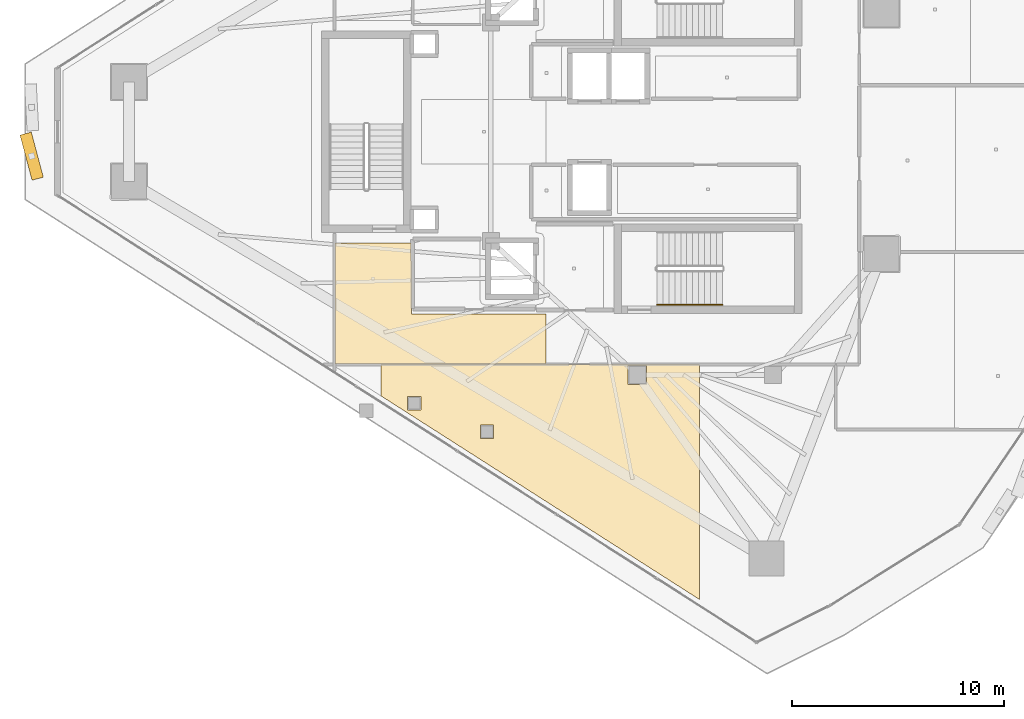
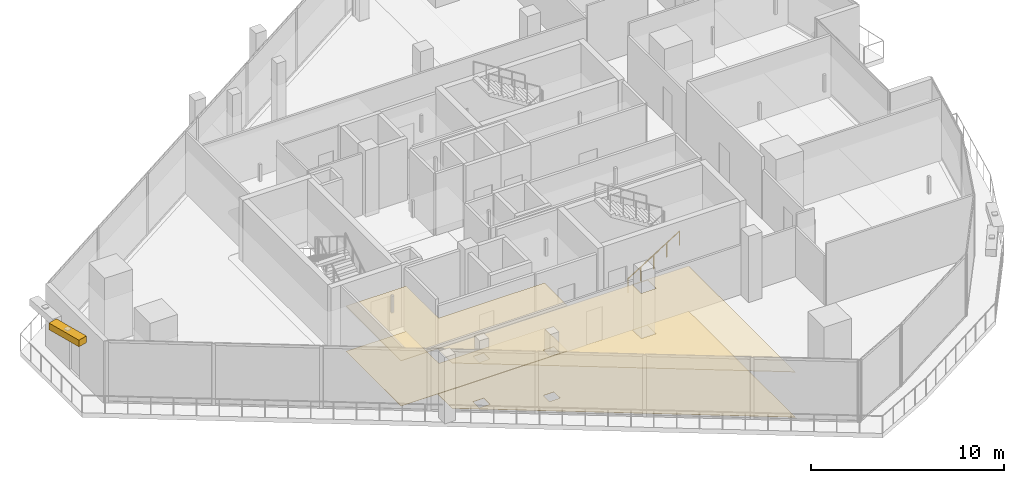
# One storey, part 29 of 34: 4 coverings, 1 railing, 1 shading device.
"""IFC4 building model written with IfcOpenShell, lengths in metres."""

from ifc_helpers import new_model, si_unit, direction, frame, origin, origin_2d, place, context, subcontext, project, spatial, polyline, rectangle, circle, outline, extrude, material, layer, layer_set, type_object, element, save


model = new_model("IFC4")

# Units and contexts
model_context = context("Model", 3, precision=1e-05, world=origin(), true_north=direction((0.0, 1.0)))
body_context = subcontext(model_context, "Body", "Model", "MODEL_VIEW")
ifc_project = project(units=[si_unit("LENGTHUNIT", "METRE"), si_unit("AREAUNIT", "SQUARE_METRE"), si_unit("VOLUMEUNIT", "CUBIC_METRE"), si_unit("PLANEANGLEUNIT", "RADIAN"), si_unit("MASSUNIT", "GRAM", prefix="KILO")], contexts=[model_context])

# Site, building, storey
site_placement = place(None, origin())
site = spatial("IfcSite", under=ifc_project, at=site_placement, CompositionType="ELEMENT")
building_placement = place(site_placement, origin())
building = spatial("IfcBuilding", under=site, at=building_placement, Name="Qorvath Tower", CompositionType="ELEMENT")
storey_placement = place(building_placement, frame((0.0, 0.0, 268.199951171875)))
storey = spatial("IfcBuildingStorey", under=building, at=storey_placement, Name="L62", CompositionType="ELEMENT", Elevation=268.199951171875)

# Coverings
ifc_material_1 = material(Name="Acoustic mineral fibre ceiling tile", Category="gypsum")
ifc_layer_1 = layer(ifc_material_1, 0.030029296875)
ifc_layer_set_1 = layer_set([ifc_layer_1], Name="COV-CEIL")
covering_type_1 = type_object("IfcCoveringType", Name="COV-CEIL", PredefinedType="CEILING", material=ifc_layer_set_1)
covering_1_placement = place(storey_placement, frame((0.0, 0.0, 2.85009765625)))
element("IfcCovering", 1, at=covering_1_placement, inside=storey, type_object=covering_type_1, Name="L62 Suspended Acoustic Ceiling 009", PredefinedType="CEILING", context=body_context, shape_type="SweptSolid", body=[
    extrude(outline(polyline([(-34.22509765625, -8.580078125), (-34.251220703125, -5.239990234375), (-37.844970703125, -5.239990234375), (-37.844970703125, -10.945068359375), (-27.8984375, -10.945068359375), (-27.8984375, -8.575927734375), (-34.22509765625, -8.580078125)])), origin(), (0.0, 0.0, 1.0), 0.030029296875),
])
covering_2_placement = place(storey_placement, frame((0.0, 0.0, 2.85009765625)))
element("IfcCovering", 2, at=covering_2_placement, inside=storey, type_object=covering_type_1, Name="L62 Suspended Acoustic Ceiling 014", PredefinedType="CEILING", context=body_context, shape_type="SweptSolid", body=[
    extrude(outline(polyline([(-35.662841796875, -10.95849609375), (-35.662841796875, -12.44580078125), (-20.67431640625, -22.025390625), (-20.67431640625, -10.961669921875), (-35.662841796875, -10.95849609375)]), holes=[polyline([(-24.04248046875, -11.892333984375), (-24.04248046875, -11.007568359375), (-23.157470703125, -11.007568359375), (-23.157470703125, -11.892333984375), (-24.04248046875, -11.892333984375)]), polyline([(-30.99462890625, -14.441650390625), (-30.99462890625, -13.806884765625), (-30.35986328125, -13.806884765625), (-30.35986328125, -14.441650390625), (-30.99462890625, -14.441650390625)]), polyline([(-34.421630859375, -13.10986328125), (-34.421630859375, -12.47509765625), (-33.786865234375, -12.47509765625), (-33.786865234375, -13.10986328125), (-34.421630859375, -13.10986328125)])]), origin(), (0.0, 0.0, 1.0), 0.030029296875),
])
ifc_material_2 = material(Name="Low-VOC modular carpet tile", Category="textile")
ifc_layer_2 = layer(ifc_material_2, 0.014892578125)
ifc_layer_set_2 = layer_set([ifc_layer_2], Name="COV-FLOOR-CPT")
covering_type_2 = type_object("IfcCoveringType", Name="COV-FLOOR-CPT", PredefinedType="FLOORING", material=ifc_layer_set_2)
covering_3_placement = place(storey_placement, origin())
element("IfcCovering", 3, at=covering_3_placement, inside=storey, type_object=covering_type_2, Name="L62 Floor Finish 014", PredefinedType="FLOORING", context=body_context, shape_type="SweptSolid", body=[
    extrude(outline(polyline([(-35.662841796875, -10.95849609375), (-35.662841796875, -12.44580078125), (-20.67431640625, -22.025390625), (-20.67431640625, -10.961669921875), (-35.662841796875, -10.95849609375)]), holes=[polyline([(-24.04248046875, -11.892333984375), (-24.04248046875, -11.007568359375), (-23.157470703125, -11.007568359375), (-23.157470703125, -11.892333984375), (-24.04248046875, -11.892333984375)]), polyline([(-30.99462890625, -14.441650390625), (-30.99462890625, -13.806884765625), (-30.35986328125, -13.806884765625), (-30.35986328125, -14.441650390625), (-30.99462890625, -14.441650390625)]), polyline([(-34.421630859375, -13.10986328125), (-34.421630859375, -12.47509765625), (-33.786865234375, -12.47509765625), (-33.786865234375, -13.10986328125), (-34.421630859375, -13.10986328125)])]), origin(), (0.0, 0.0, 1.0), 0.01513671875),
])
ifc_material_3 = material(Name="Polished epoxy terrazzo flooring", Category="concrete")
ifc_layer_3 = layer(ifc_material_3, 0.02001953125)
ifc_layer_set_3 = layer_set([ifc_layer_3], Name="COV-FLOOR-TRZ")
covering_type_3 = type_object("IfcCoveringType", Name="COV-FLOOR-TRZ", PredefinedType="FLOORING", material=ifc_layer_set_3)
covering_4_placement = place(storey_placement, origin())
element("IfcCovering", 4, at=covering_4_placement, inside=storey, type_object=covering_type_3, Name="L62 Floor Finish 009", PredefinedType="FLOORING", context=body_context, shape_type="SweptSolid", body=[
    extrude(outline(polyline([(-34.22509765625, -8.580078125), (-34.251220703125, -5.239990234375), (-37.844970703125, -5.239990234375), (-37.844970703125, -10.945068359375), (-27.8984375, -10.945068359375), (-27.8984375, -8.575927734375), (-34.22509765625, -8.580078125)])), origin(), (0.0, 0.0, 1.0), 0.01513671875),
])

# Railing
ifc_material_4 = material(Name="Brushed stainless steel AISI 304", Category="steel")
railing_type = type_object("IfcRailingType", Name="RL-STR-HND", PredefinedType="HANDRAIL", material=ifc_material_4)
railing_placement = place(storey_placement, frame((-22.669921875, -8.14990234375, 0.175048828125)))
element("IfcRailing", 5, at=railing_placement, inside=storey, type_object=railing_type, Name="L62 TS2 stair handrail 1", PredefinedType="HANDRAIL", context=body_context, shape_type="SweptSolid", body=[
    extrude(circle(Radius=0.02392578125, at=origin_2d()), frame((0.0, 0.0, 0.8759765625), z_axis=(0.847979421464, 0.0, 0.530029150871), x_axis=(0.0, 1.0, 0.0)), (0.0, 0.0, 1.0), 3.632080078125),
    extrude(circle(Radius=0.02099609375, at=origin_2d()), origin(), (0.0, 0.0, 1.0), 0.851806640625),
    extrude(circle(Radius=0.02099609375, at=origin_2d()), frame((0.77001953125, 0.0, 0.481201171875)), (0.0, 0.0, 1.0), 0.851806640625),
    extrude(circle(Radius=0.02099609375, at=origin_2d()), frame((1.5400390625, 0.0, 0.96240234375)), (0.0, 0.0, 1.0), 0.851806640625),
    extrude(circle(Radius=0.02099609375, at=origin_2d()), frame((2.309814453125, 0.0, 1.44384765625)), (0.0, 0.0, 1.0), 0.851806640625),
    extrude(circle(Radius=0.02099609375, at=origin_2d()), frame((3.079833984375, 0.0, 1.925048828125)), (0.0, 0.0, 1.0), 0.851806640625),
])

# Shading device
ifc_material_5 = material(Name="Anodised bronze-champagne aluminium", Category="aluminium")
shading_device_type = type_object("IfcShadingDeviceType", Name="SD-LOUVRE", PredefinedType="JALOUSIE", material=ifc_material_5)
shading_device_placement = place(storey_placement, frame((-52.121337890625, -1.14892578125, 3.490234375), z_axis=(0.0, 0.0, 1.0), x_axis=(0.258041780595, -0.96613375858, 0.0)))
element("IfcShadingDevice", 6, at=shading_device_placement, inside=storey, type_object=shading_device_type, Name="Sinusoidal Wave Louvre Blade L62-02", PredefinedType="NOTDEFINED", context=body_context, shape_type="SweptSolid", body=[
    extrude(rectangle(XDim=2.199951171875, YDim=0.550048828125, at=origin_2d()), origin(), (0.0, 0.0, 1.0), 0.419921875),
])

save(model, "model.ifc")
